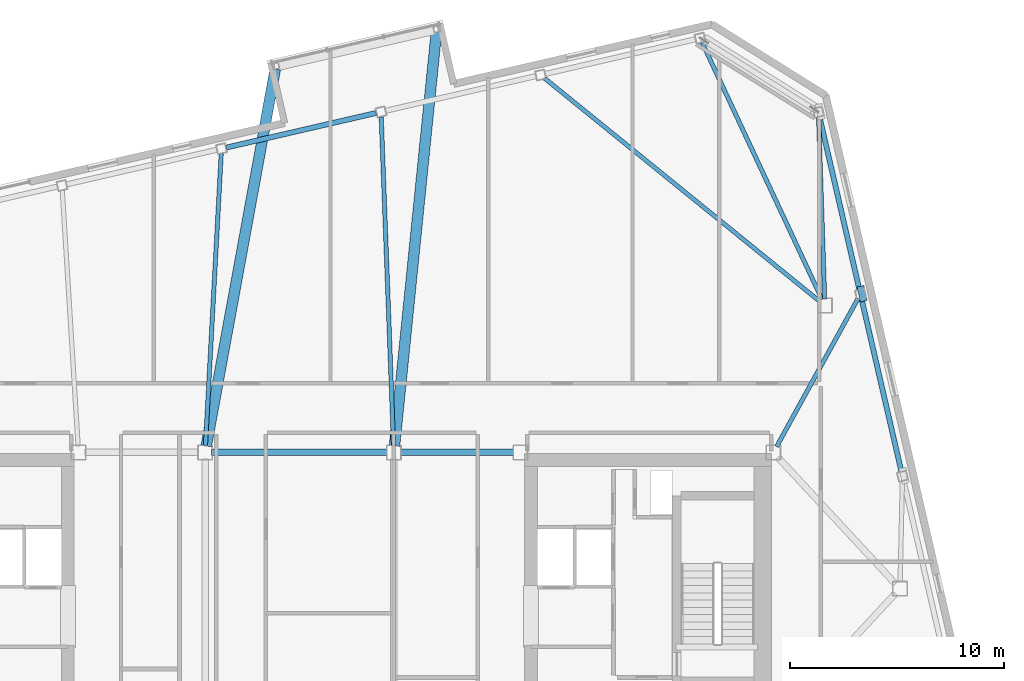
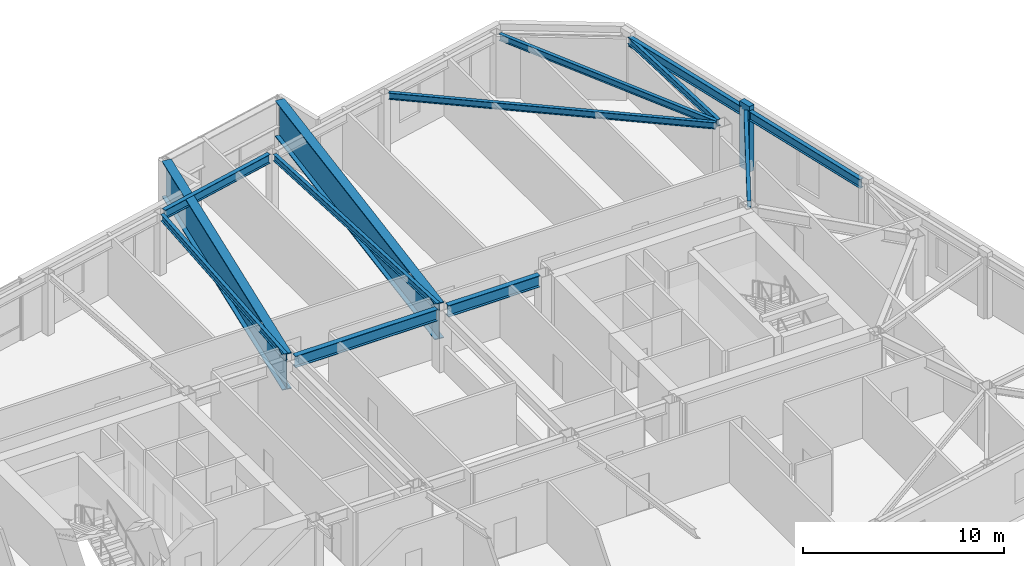
# One storey, part 14 of 24: 13 beams, 1 member.
"""IFC4 building model written with IfcOpenShell, lengths in metres."""

from ifc_helpers import new_model, si_unit, direction, frame, origin, origin_2d, place, context, subcontext, project, spatial, rectangle, i_section, extrude, material, material_profile, profile_set, type_object, element, save


model = new_model("IFC4")

# Units and contexts
model_context = context("Model", 3, precision=1e-05, world=origin(), true_north=direction((0.0, 1.0)))
body_context = subcontext(model_context, "Body", "Model", "MODEL_VIEW")
ifc_project = project(units=[si_unit("LENGTHUNIT", "METRE"), si_unit("AREAUNIT", "SQUARE_METRE"), si_unit("VOLUMEUNIT", "CUBIC_METRE"), si_unit("PLANEANGLEUNIT", "RADIAN"), si_unit("MASSUNIT", "GRAM", prefix="KILO")], contexts=[model_context])

# Site, building, storey
site_placement = place(None, origin())
site = spatial("IfcSite", under=ifc_project, at=site_placement, CompositionType="ELEMENT")
building_placement = place(site_placement, origin())
building = spatial("IfcBuilding", under=site, at=building_placement, Name="Tavrogorsk Clinical Tower", CompositionType="ELEMENT")
storey_placement = place(building_placement, frame((0.0, 0.0, 309.0)))
storey = spatial("IfcBuildingStorey", under=building, at=storey_placement, Name="L72", CompositionType="ELEMENT", Elevation=309.0)

# Beams
ifc_material_1 = material(Name="Structural steel S355", Category="steel")
ifc_material_profile_1 = material_profile(ifc_material_1, i_section(OverallWidth=0.199951171875, OverallDepth=0.39990234375, WebThickness=0.010498046875, FlangeThickness=0.01611328125, at=origin_2d()), Name="B-400x200x10.5x16")
ifc_profile_set_1 = profile_set([ifc_material_profile_1], Name="Structural steel S355")
beam_type_1 = type_object("IfcBeamType", Name="FloorBeam_B400", PredefinedType="BEAM", material=ifc_profile_set_1)
beam_1_placement = place(storey_placement, frame((24.368896484375, 13.48095703125, 3.5400390625), z_axis=(-0.422928957087, 0.906162842571, 0.0), x_axis=(-0.906162842571, -0.422928957087, 0.0)))
element("IfcBeam", 1, at=beam_1_placement, inside=storey, type_object=beam_type_1, Name="L72 Radial Floor Beam N1", PredefinedType="BEAM", context=body_context, shape_type="SweptSolid", body=[
    extrude(i_section(OverallWidth=0.199951171875, OverallDepth=0.39990234375, WebThickness=0.010498046875, FlangeThickness=0.01611328125, at=origin_2d()), origin(), (0.0, 0.0, 1.0), 13.214111328125),
])
beam_2_placement = place(storey_placement, frame((24.25927734375, 13.395263671875, 3.5400390625), z_axis=(-0.77675399059, 0.629804126774, 0.0), x_axis=(-0.629804126774, -0.77675399059, 0.0)))
element("IfcBeam", 2, at=beam_2_placement, inside=storey, type_object=beam_type_1, Name="L72 Radial Floor Beam N2", PredefinedType="BEAM", context=body_context, shape_type="SweptSolid", body=[
    extrude(i_section(OverallWidth=0.199951171875, OverallDepth=0.39990234375, WebThickness=0.010498046875, FlangeThickness=0.01611328125, at=origin_2d()), origin(), (0.0, 0.0, 1.0), 16.524169921875),
])
beam_3_placement = place(storey_placement, frame((4.388427734375, 6.65966796875, 3.5400390625), z_axis=(-0.037472270853, 0.999297667823, 0.0), x_axis=(-0.999297667823, -0.037472270853, 0.0)))
element("IfcBeam", 3, at=beam_3_placement, inside=storey, type_object=beam_type_1, Name="L72 Radial Floor Beam N3", PredefinedType="BEAM", context=body_context, shape_type="SweptSolid", body=[
    extrude(i_section(OverallWidth=0.199951171875, OverallDepth=0.39990234375, WebThickness=0.010498046875, FlangeThickness=0.01611328125, at=origin_2d()), origin(), (0.0, 0.0, 1.0), 15.349853515625),
])
beam_4_placement = place(storey_placement, frame((-4.38330078125, 6.65966796875, 3.5400390625), z_axis=(0.053993102157, 0.998541308569, 0.0), x_axis=(-0.998541308569, 0.053993102157, 0.0)))
element("IfcBeam", 4, at=beam_4_placement, inside=storey, type_object=beam_type_1, Name="L72 Radial Floor Beam N4", PredefinedType="BEAM", context=body_context, shape_type="SweptSolid", body=[
    extrude(i_section(OverallWidth=0.199951171875, OverallDepth=0.39990234375, WebThickness=0.010498046875, FlangeThickness=0.01611328125, at=origin_2d()), origin(), (0.0, 0.0, 1.0), 13.64208984375),
])
beam_5_placement = place(storey_placement, frame((22.249267578125, 6.62158203125, 3.5400390625), z_axis=(0.481705874182, 0.876332956574, 0.0), x_axis=(-0.876332956574, 0.481705874182, 0.0)))
element("IfcBeam", 5, at=beam_5_placement, inside=storey, type_object=beam_type_1, Name="L72 Radial Floor Beam E4", PredefinedType="BEAM", context=body_context, shape_type="SweptSolid", body=[
    extrude(i_section(OverallWidth=0.199951171875, OverallDepth=0.39990234375, WebThickness=0.010498046875, FlangeThickness=0.01611328125, at=origin_2d()), origin(), (0.0, 0.0, 1.0), 7.881103515625),
])
beam_6_placement = place(storey_placement, frame((24.48974609375, 13.509765625, 3.5400390625), z_axis=(-0.033421222185, 0.999441354912, 0.0), x_axis=(-0.999441354912, -0.033421222185, 0.0)))
element("IfcBeam", 6, at=beam_6_placement, inside=storey, type_object=beam_type_1, Name="L72 Radial Floor Beam E5", PredefinedType="BEAM", context=body_context, shape_type="SweptSolid", body=[
    extrude(i_section(OverallWidth=0.199951171875, OverallDepth=0.39990234375, WebThickness=0.010498046875, FlangeThickness=0.01611328125, at=origin_2d()), origin(), (0.0, 0.0, 1.0), 8.48095703125),
])

# Member
ifc_material_2 = material(Name="Precast concrete B45 with limestone cladding", Category="masonry")
ifc_material_profile_2 = material_profile(ifc_material_2, rectangle(XDim=0.320068359375, YDim=0.719970703125, at=origin_2d()), Name="LIMESTONE-FIN-320x720")
ifc_profile_set_2 = profile_set([ifc_material_profile_2], Name="Precast concrete B45 with limestone cladding")
member_type = type_object("IfcMemberType", Name="LimestonePleatFin_320x720", PredefinedType="USERDEFINED", material=ifc_profile_set_2)
member_placement = place(storey_placement, frame((26.23583984375, 13.750244140625, 0.0), z_axis=(0.0, 0.0, 1.0), x_axis=(0.974370064785, 0.224951054344, 0.0)))
element("IfcMember", 7, at=member_placement, inside=storey, type_object=member_type, Name="L72 E Pleated Stone Fin 3", ObjectType="FIN", PredefinedType="USERDEFINED", context=body_context, shape_type="SweptSolid", body=[
    extrude(rectangle(XDim=0.320068359375, YDim=0.719970703125, at=origin_2d()), origin(), (0.0, 0.0, 1.0), 4.0),
])

# Beams
ifc_material_3 = material(Name="Structural steel S390", Category="steel")
ifc_material_profile_3 = material_profile(ifc_material_3, i_section(OverallWidth=0.300048828125, OverallDepth=0.699951171875, WebThickness=0.01708984375, FlangeThickness=0.028076171875, at=origin_2d()), Name="B-700x300x17x28")
ifc_profile_set_3 = profile_set([ifc_material_profile_3], Name="Structural steel S390")
beam_type_2 = type_object("IfcBeamType", Name="PrimaryGirder_B700", PredefinedType="USERDEFINED", material=ifc_profile_set_3)
beam_7_placement = place(storey_placement, frame((-4.090087890625, 6.35009765625, 3.389892578125), z_axis=(1.0, 0.0, 0.0), x_axis=(0.0, 1.0, 0.0)))
element("IfcBeam", 8, at=beam_7_placement, inside=storey, type_object=beam_type_2, Name="L72 Primary Spine Girder MG-04", ObjectType="GIRDER", PredefinedType="USERDEFINED", context=body_context, shape_type="SweptSolid", body=[
    extrude(i_section(OverallWidth=0.300048828125, OverallDepth=0.699951171875, WebThickness=0.01708984375, FlangeThickness=0.028076171875, at=origin_2d()), origin(), (0.0, 0.0, 1.0), 8.18017578125),
])
beam_8_placement = place(storey_placement, frame((4.7099609375, 6.35009765625, 3.389892578125), z_axis=(1.0, 0.0, 0.0), x_axis=(0.0, 1.0, 0.0)))
element("IfcBeam", 9, at=beam_8_placement, inside=storey, type_object=beam_type_2, Name="L72 Primary Spine Girder MG-06", ObjectType="GIRDER", PredefinedType="USERDEFINED", context=body_context, shape_type="SweptSolid", body=[
    extrude(i_section(OverallWidth=0.300048828125, OverallDepth=0.699951171875, WebThickness=0.01708984375, FlangeThickness=0.028076171875, at=origin_2d()), origin(), (0.0, 0.0, 1.0), 5.280029296875),
])
ifc_material_4 = material(Name="Structural steel S390", Category="steel")
ifc_material_profile_4 = material_profile(ifc_material_4, i_section(OverallWidth=0.239990234375, OverallDepth=0.550048828125, WebThickness=0.013916015625, FlangeThickness=0.02197265625, at=origin_2d()), Name="B-550x240x14x22")
ifc_profile_set_4 = profile_set([ifc_material_profile_4], Name="Structural steel S390")
beam_type_3 = type_object("IfcBeamType", Name="SpandrelBeam_B550", PredefinedType="SPANDREL", material=ifc_profile_set_4)
beam_9_placement = place(storey_placement, frame((28.06494140625, 5.472412109375, 3.465087890625), z_axis=(-0.224978460613, 0.974363737144, 0.0), x_axis=(-0.974363737144, -0.224978460613, 0.0)))
element("IfcBeam", 10, at=beam_9_placement, inside=storey, type_object=beam_type_3, Name="L72 Perimeter Spandrel E3-E4", PredefinedType="SPANDREL", context=body_context, shape_type="SweptSolid", body=[
    extrude(i_section(OverallWidth=0.239990234375, OverallDepth=0.550048828125, WebThickness=0.013916015625, FlangeThickness=0.02197265625, at=origin_2d()), origin(), (0.0, 0.0, 1.0), 8.244140625),
])
beam_10_placement = place(storey_placement, frame((26.10546875, 13.959228515625, 3.465087890625), z_axis=(-0.224950345141, 0.974370228517, 0.0), x_axis=(-0.974370228517, -0.224950345141, 0.0)))
element("IfcBeam", 11, at=beam_10_placement, inside=storey, type_object=beam_type_3, Name="L72 Perimeter Spandrel E4-E5", PredefinedType="SPANDREL", context=body_context, shape_type="SweptSolid", body=[
    extrude(i_section(OverallWidth=0.239990234375, OverallDepth=0.550048828125, WebThickness=0.013916015625, FlangeThickness=0.02197265625, at=origin_2d()), origin(), (0.0, 0.0, 1.0), 8.243896484375),
])
beam_11_placement = place(storey_placement, frame((3.577392578125, 22.17919921875, 3.465087890625), z_axis=(-0.974369378592, -0.224954026551, 0.0), x_axis=(0.224954026551, -0.974369378592, 0.0)))
element("IfcBeam", 12, at=beam_11_placement, inside=storey, type_object=beam_type_3, Name="L72 Perimeter Spandrel N3-N4", PredefinedType="SPANDREL", context=body_context, shape_type="SweptSolid", body=[
    extrude(i_section(OverallWidth=0.239990234375, OverallDepth=0.550048828125, WebThickness=0.013916015625, FlangeThickness=0.02197265625, at=origin_2d()), origin(), (0.0, 0.0, 1.0), 7.16845703125),
])
ifc_material_5 = material(Name="Structural steel S440", Category="steel")
ifc_material_profile_5 = material_profile(ifc_material_5, i_section(OverallWidth=0.5, OverallDepth=2.199951171875, WebThickness=0.035888671875, FlangeThickness=0.054931640625, at=origin_2d()), Name="DK-2200x500x36x55")
ifc_profile_set_5 = profile_set([ifc_material_profile_5], Name="Structural steel S440")
beam_type_4 = type_object("IfcBeamType", Name="TransferGirder_DK2200", PredefinedType="USERDEFINED", material=ifc_profile_set_5)
beam_12_placement = place(storey_placement, frame((-4.34423828125, 6.655029296875, 2.639892578125), z_axis=(0.180106145967, 0.983647180744, 0.0), x_axis=(-0.983647180744, 0.180106145967, 0.0)))
element("IfcBeam", 13, at=beam_12_placement, inside=storey, type_object=beam_type_4, Name="L72 Day-Room Cantilever Beam DRB-10-L", ObjectType="GIRDER", PredefinedType="USERDEFINED", context=body_context, shape_type="SweptSolid", body=[
    extrude(i_section(OverallWidth=0.5, OverallDepth=2.199951171875, WebThickness=0.035888671875, FlangeThickness=0.054931640625, at=origin_2d()), origin(), (0.0, 0.0, 1.0), 17.86181640625),
])
beam_13_placement = place(storey_placement, frame((4.43115234375, 6.658447265625, 2.639892578125), z_axis=(0.10081222061, 0.994905470975, 0.0), x_axis=(-0.994905470975, 0.10081222061, 0.0)))
element("IfcBeam", 14, at=beam_13_placement, inside=storey, type_object=beam_type_4, Name="L72 Day-Room Cantilever Beam DRB-10-R", ObjectType="GIRDER", PredefinedType="USERDEFINED", context=body_context, shape_type="SweptSolid", body=[
    extrude(i_section(OverallWidth=0.5, OverallDepth=2.199951171875, WebThickness=0.035888671875, FlangeThickness=0.054931640625, at=origin_2d()), origin(), (0.0, 0.0, 1.0), 19.395751953125),
])

save(model, "model.ifc")
